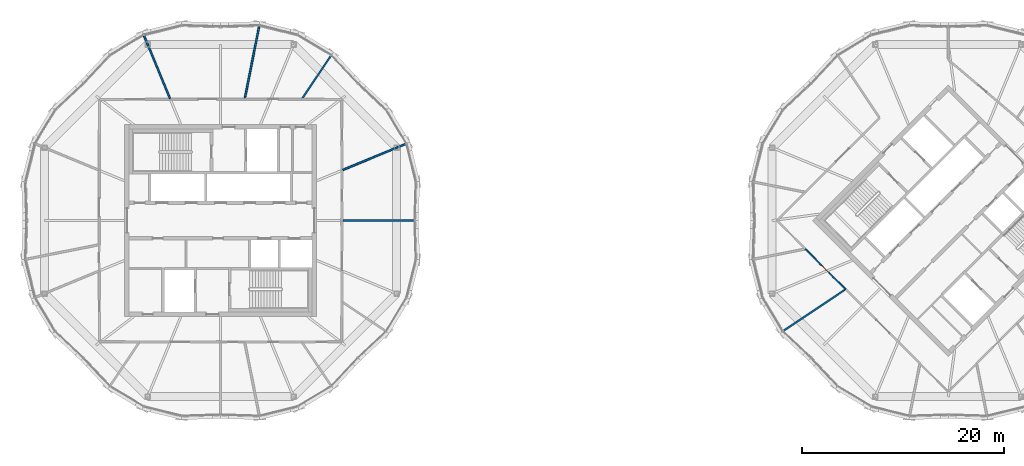
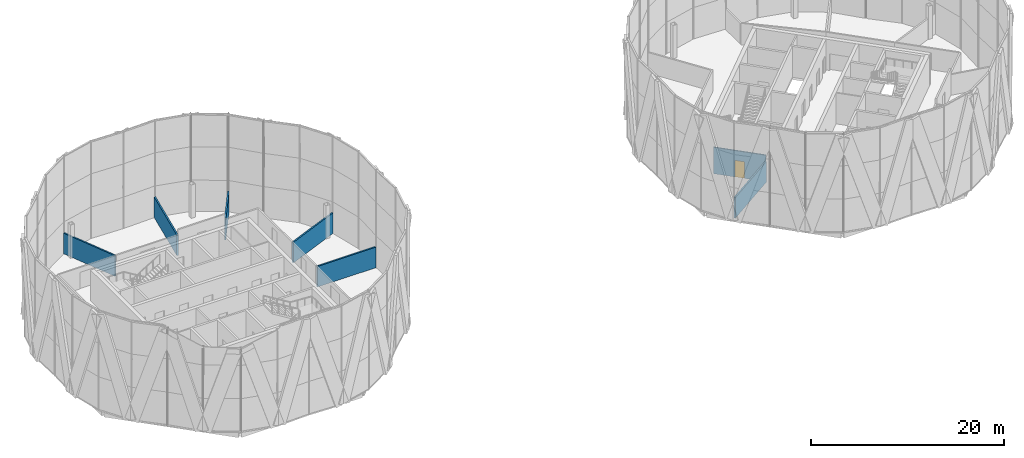
# One storey, part 18 of 23: 7 walls, 1 door, 1 opening.
"""IFC4 building model written with IfcOpenShell, lengths in metres."""

from ifc_helpers import new_model, si_unit, direction, frame, frame_2d, origin, place, context, subcontext, project, spatial, rectangle, extrude, material, layer, layer_set, type_object, element, fill, save


model = new_model("IFC4")

# Units and contexts
model_context = context("Model", 3, precision=1e-05, world=origin(), true_north=direction((0.0, 1.0)))
body_context = subcontext(model_context, "Body", "Model", "MODEL_VIEW")
ifc_project = project(units=[si_unit("LENGTHUNIT", "METRE"), si_unit("AREAUNIT", "SQUARE_METRE"), si_unit("VOLUMEUNIT", "CUBIC_METRE"), si_unit("PLANEANGLEUNIT", "RADIAN"), si_unit("MASSUNIT", "GRAM", prefix="KILO")], contexts=[model_context])

# Site, building, storey
site_placement = place(None, origin())
site = spatial("IfcSite", under=ifc_project, at=site_placement, CompositionType="ELEMENT")
building_placement = place(site_placement, origin())
building = spatial("IfcBuilding", under=site, at=building_placement, Name="Ogive Gate Towers", CompositionType="ELEMENT")
storey_placement = place(building_placement, frame((0.0, 0.0, 256.199951171875)))
storey = spatial("IfcBuildingStorey", under=building, at=storey_placement, Name="L60", CompositionType="ELEMENT", Elevation=256.199951171875)

# Walls
ifc_material_1 = material(Name="Gypsum board acoustic partition")
ifc_layer_1 = layer(ifc_material_1, 0.175048828125)
ifc_layer_set_1 = layer_set([ifc_layer_1], Name="Acoustic partition 175")
wall_type_1 = type_object("IfcWallType", Name="Acoustic partition 175", PredefinedType="PARTITIONING", material=ifc_layer_set_1)
wall_1_placement = place(storey_placement, frame((-16.90087890625, 0.0, 0.0), z_axis=(0.0, 0.0, 1.0), x_axis=(-1.0, 0.0, 0.0)))
element("IfcWall", 1, at=wall_1_placement, inside=storey, type_object=wall_type_1, Name="Partition T1-L60-001", PredefinedType="PARTITIONING", context=body_context, shape_type="SweptSolid", body=[
    extrude(rectangle(XDim=7.011474609375, YDim=0.175048828125, at=frame_2d((3.505859375, 0.0))), origin(), (0.0, 0.0, 1.0), 2.60009765625),
])
wall_2_placement = place(storey_placement, frame((-17.70703125, 7.5771484375, 0.0), z_axis=(0.0, 0.0, 1.0), x_axis=(-0.923882053966, -0.382677344977, 0.0)))
element("IfcWall", 2, at=wall_2_placement, inside=storey, type_object=wall_type_1, Name="Partition T1-L60-002", PredefinedType="PARTITIONING", context=body_context, shape_type="SweptSolid", body=[
    extrude(rectangle(XDim=6.711669921875, YDim=0.175048828125, at=frame_2d((3.35595703125, 0.0))), origin(), (0.0, 0.0, 1.0), 2.60009765625),
])
wall_3_placement = place(storey_placement, frame((-25.103515625, 16.291259765625, 0.0), z_axis=(0.0, 0.0, 1.0), x_axis=(-0.555968529854, -0.831203340833, 0.0)))
element("IfcWall", 3, at=wall_3_placement, inside=storey, type_object=wall_type_1, Name="Partition T1-L60-003", PredefinedType="PARTITIONING", context=body_context, shape_type="SweptSolid", body=[
    extrude(rectangle(XDim=5.061279296875, YDim=0.175048828125, at=frame_2d((2.53076171875, 0.0))), origin(), (0.0, 0.0, 1.0), 2.60009765625),
])
wall_4_placement = place(storey_placement, frame((-32.185302734375, 19.224609375, 0.0), z_axis=(0.0, 0.0, 1.0), x_axis=(-0.194635269344, -0.980875686276, 0.0)))
element("IfcWall", 4, at=wall_4_placement, inside=storey, type_object=wall_type_1, Name="Partition T1-L60-004", PredefinedType="PARTITIONING", context=body_context, shape_type="SweptSolid", body=[
    extrude(rectangle(XDim=7.261474609375, YDim=0.175048828125, at=frame_2d((3.630859375, 0.0))), origin(), (0.0, 0.0, 1.0), 2.60009765625),
])
wall_5_placement = place(storey_placement, frame((-43.5771484375, 18.29296875, 0.0), z_axis=(0.0, 0.0, 1.0), x_axis=(0.382677344977, -0.923882053966, 0.0)))
element("IfcWall", 5, at=wall_5_placement, inside=storey, type_object=wall_type_1, Name="Partition T1-L60-005", PredefinedType="PARTITIONING", context=body_context, shape_type="SweptSolid", body=[
    extrude(rectangle(XDim=6.711669921875, YDim=0.175048828125, at=frame_2d((3.35595703125, 0.0))), origin(), (0.0, 0.0, 1.0), 2.60009765625),
])
wall_6_placement = place(storey_placement, frame((19.708740234375, -10.896484375, 0.0), z_axis=(0.0, 0.0, 1.0), x_axis=(0.83120450459, 0.55596678997, 0.0)))
element("IfcWall", 6, at=wall_6_placement, inside=storey, type_object=wall_type_1, Name="Partition T2-L60-007", PredefinedType="PARTITIONING", context=body_context, shape_type="SweptSolid", body=[
    extrude(rectangle(XDim=7.291259765625, YDim=0.175048828125, at=frame_2d((3.6455078125, 0.0))), origin(), (0.0, 0.0, 1.0), 2.60009765625),
])

# Wall, opening, door
ifc_material_2 = material(Name="Gypsum board partition")
ifc_layer_2 = layer(ifc_material_2, 0.125)
ifc_layer_set_2 = layer_set([ifc_layer_2], Name="Partition 125")
wall_type_2 = type_object("IfcWallType", Name="Partition 125", PredefinedType="PARTITIONING", material=ifc_layer_set_2)
wall_7_placement = place(storey_placement, frame((21.855224609375, -2.806640625, 0.0), z_axis=(0.0, 0.0, 1.0), x_axis=(0.707041832537, -0.707171723871, 0.0)))
wall_7 = element("IfcWall", 7, at=wall_7_placement, inside=storey, type_object=wall_type_2, Name="Partition T2-L60-022", PredefinedType="PARTITIONING", context=body_context, shape_type="SweptSolid", body=[
    extrude(rectangle(XDim=5.638671875, YDim=0.125, at=frame_2d((2.8193359375, 0.0))), origin(), (0.0, 0.0, 1.0), 3.35009765625),
])
opening_placement = place(wall_7_placement, frame((2.319091796875, 0.0, 0.0)))
opening = element("IfcOpeningElement", 8, at=opening_placement, cuts=wall_7, Name="Opening T2-L60-D08", PredefinedType="OPENING", context=body_context, shape_type="SweptSolid", body=[
    extrude(rectangle(XDim=1.0, YDim=2.10009765625, at=frame_2d((0.5, 1.050048828125))), frame((0.0, 0.072509765625, 0.0), z_axis=(0.0, -1.0, 0.0), x_axis=(1.0, 0.0, 0.0)), (0.0, 0.0, 1.0), 0.14501953125),
])
ifc_material_3 = material(Name="Timber door", Category="wood")
door_type = type_object("IfcDoorType", Name="Door 1000", OperationType="NOTDEFINED", PredefinedType="DOOR", material=ifc_material_3)
door_placement = place(opening_placement, origin())
door = element("IfcDoor", 9, at=door_placement, inside=storey, type_object=door_type, Name="Door T2-L60-D08", OperationType="SINGLE_SWING_LEFT", OverallHeight=2.10009765625, OverallWidth=1.0, PredefinedType="DOOR", context=body_context, shape_type="SweptSolid", body=[
    extrude(rectangle(XDim=1.0, YDim=2.10009765625, at=frame_2d((0.5, 1.050048828125))), frame((0.0, 0.02490234375, 0.0), z_axis=(0.0, -1.0, 0.0), x_axis=(1.0, 0.0, 0.0)), (0.0, 0.0, 1.0), 0.050048828125),
])
fill(opening, door)

save(model, "model.ifc")
